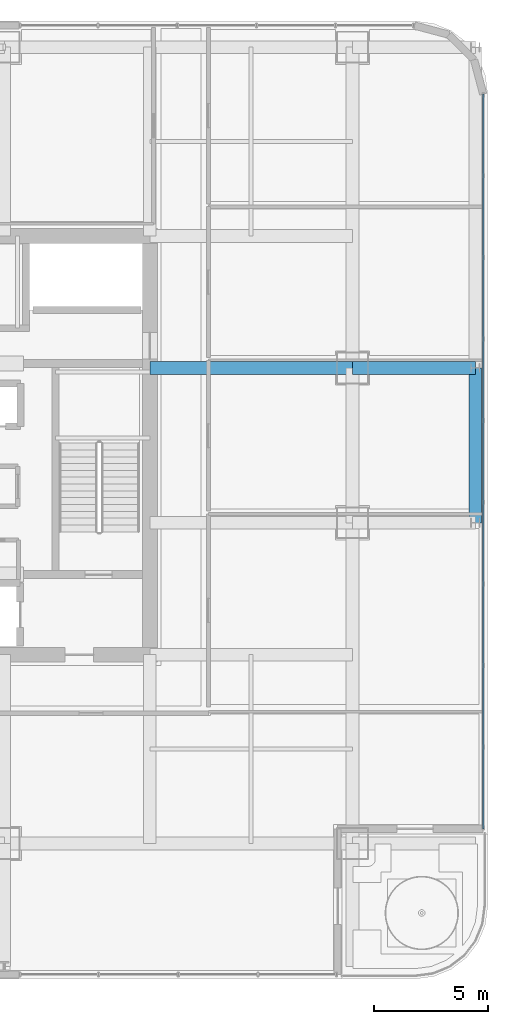
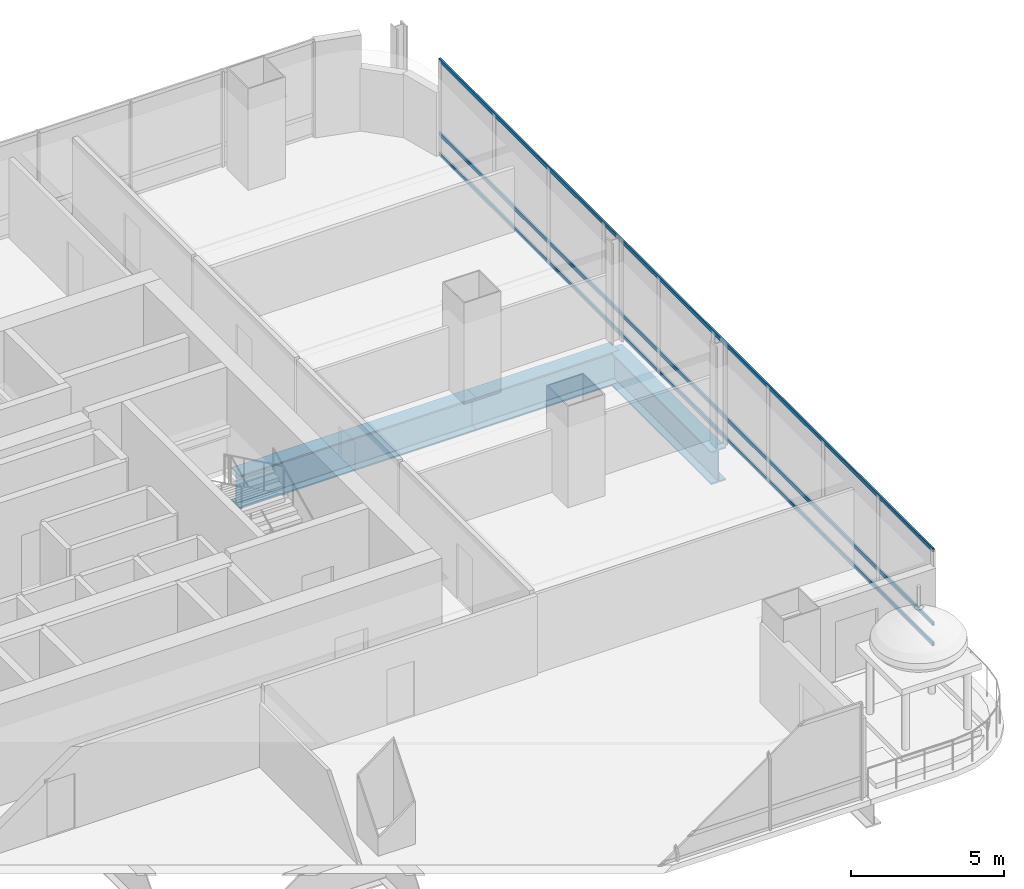
# One storey, part 17 of 41: 3 beams, 3 members, 1 element without a shape of its own.
"""IFC4 building model written with IfcOpenShell, lengths in metres."""

from ifc_helpers import new_model, si_unit, direction, frame, origin, origin_2d, place, context, subcontext, project, spatial, hollow_rectangle, i_section, extrude, material, material_profile, profile_set, type_object, element, aggregate, save


model = new_model("IFC4")

# Units and contexts
model_context = context("Model", 3, precision=1e-05, world=origin(), true_north=direction((0.0, 1.0)))
body_context = subcontext(model_context, "Body", "Model", "MODEL_VIEW")
ifc_project = project(units=[si_unit("LENGTHUNIT", "METRE"), si_unit("AREAUNIT", "SQUARE_METRE"), si_unit("VOLUMEUNIT", "CUBIC_METRE"), si_unit("PLANEANGLEUNIT", "RADIAN"), si_unit("MASSUNIT", "GRAM", prefix="KILO")], contexts=[model_context])

# Site, building, storey
site_placement = place(None, origin())
site = spatial("IfcSite", under=ifc_project, at=site_placement, CompositionType="ELEMENT")
building_placement = place(site_placement, origin())
building = spatial("IfcBuilding", under=site, at=building_placement, Name="Punatoya Terracotta Tower", CompositionType="ELEMENT")
storey_placement = place(building_placement, frame((0.0, 0.0, 220.800048828125)))
storey = spatial("IfcBuildingStorey", under=building, at=storey_placement, Name="L52", CompositionType="ELEMENT", Elevation=220.800048828125)

# Beams
ifc_material_1 = material(Name="Steel S460", Category="steel")
ifc_material_profile_1 = material_profile(ifc_material_1, i_section(OverallWidth=0.56005859375, OverallDepth=1.320068359375, WebThickness=0.035888671875, FlangeThickness=0.054931640625, FilletRadius=0.01806640625, at=origin_2d()))
ifc_profile_set_1 = profile_set([ifc_material_profile_1], Name="Steel S460")
beam_type = type_object("IfcBeamType", Name="BM-TG-BLK", PredefinedType="BEAM", material=ifc_profile_set_1)
beam_1_placement = place(storey_placement, frame((10.199951171875, 3.39990234375, -0.880126953125), z_axis=(1.0, 0.0, 0.0), x_axis=(0.0, 1.0, 0.0)))
element("IfcBeam", 1, at=beam_1_placement, inside=storey, type_object=beam_type, Name="BM-L52-PR-EE", PredefinedType="BEAM", context=body_context, shape_type="SweptSolid", body=[
    extrude(i_section(OverallWidth=0.56005859375, OverallDepth=1.320068359375, WebThickness=0.035888671875, FlangeThickness=0.054931640625, FilletRadius=0.01806640625, at=origin_2d()), origin(), (0.0, 0.0, 1.0), 8.900146484375),
])
beam_2_placement = place(storey_placement, frame((19.10009765625, 3.39990234375, -0.880126953125), z_axis=(1.0, 0.0, 0.0), x_axis=(0.0, 1.0, 0.0)))
element("IfcBeam", 2, at=beam_2_placement, inside=storey, type_object=beam_type, Name="BM-L52-CANT-E3", PredefinedType="BEAM", context=body_context, shape_type="SweptSolid", body=[
    extrude(i_section(OverallWidth=0.56005859375, OverallDepth=1.320068359375, WebThickness=0.035888671875, FlangeThickness=0.054931640625, FilletRadius=0.01806640625, at=origin_2d()), origin(), (0.0, 0.0, 1.0), 5.39990234375),
])
beam_3_placement = place(storey_placement, frame((24.5, -3.39990234375, -0.880126953125), z_axis=(0.0, 1.0, 0.0), x_axis=(-1.0, 0.0, 0.0)))
element("IfcBeam", 3, at=beam_3_placement, inside=storey, type_object=beam_type, Name="BM-L52-PER-E1", PredefinedType="BEAM", context=body_context, shape_type="SweptSolid", body=[
    extrude(i_section(OverallWidth=0.56005859375, OverallDepth=1.320068359375, WebThickness=0.035888671875, FlangeThickness=0.054931640625, FilletRadius=0.01806640625, at=origin_2d()), origin(), (0.0, 0.0, 1.0), 6.7998046875),
])

# Curtain wall, members
ifc_material_2 = material(Name="Aluminium 6063-T6 + Double Low-E Glass", Category="aluminium")
curtain_wall_type = type_object("IfcCurtainWallType", Name="CW-M2", PredefinedType="NOTDEFINED", material=ifc_material_2)
curtain_wall_placement = place(storey_placement, origin())
curtain_wall = element("IfcCurtainWall", 4, at=curtain_wall_placement, inside=storey, type_object=curtain_wall_type, Name="L52 Curtain Wall CW-L52-E04-1", PredefinedType="NOTDEFINED")
ifc_material_3 = material(Name="Aluminium 6063-T6", Category="aluminium")
ifc_material_profile_2 = material_profile(ifc_material_3, hollow_rectangle(XDim=0.068115234375, YDim=0.14990234375, WallThickness=0.00390625, at=origin_2d()))
ifc_profile_set_2 = profile_set([ifc_material_profile_2], Name="Aluminium 6063-T6")
member_type = type_object("IfcMemberType", Name="CW-TRN-TYP", PredefinedType="USERDEFINED", material=ifc_profile_set_2)
member_1_placement = place(storey_placement, frame((24.85009765625, -16.85009765625, 0.0400390625), z_axis=(0.0, 1.0, 0.0), x_axis=(-1.0, 0.0, 0.0)))
member_1 = element("IfcMember", 5, at=member_1_placement, type_object=member_type, Name="CW-L52-E04-1 Transom 1", ObjectType="TRANSOM", PredefinedType="USERDEFINED", context=body_context, shape_type="SweptSolid", body=[
    extrude(hollow_rectangle(XDim=0.068115234375, YDim=0.14990234375, WallThickness=0.00390625, at=origin_2d()), origin(), (0.0, 0.0, 1.0), 32.287109375),
])
member_2_placement = place(storey_placement, frame((24.85009765625, -16.85009765625, 0.849853515625), z_axis=(0.0, 1.0, 0.0), x_axis=(-1.0, 0.0, 0.0)))
member_2 = element("IfcMember", 6, at=member_2_placement, type_object=member_type, Name="CW-L52-E04-1 Transom 2", ObjectType="TRANSOM", PredefinedType="USERDEFINED", context=body_context, shape_type="SweptSolid", body=[
    extrude(hollow_rectangle(XDim=0.068115234375, YDim=0.14990234375, WallThickness=0.00390625, at=origin_2d()), origin(), (0.0, 0.0, 1.0), 32.287109375),
])
member_3_placement = place(storey_placement, frame((24.85009765625, -16.85009765625, 3.7900390625), z_axis=(0.0, 1.0, 0.0), x_axis=(-1.0, 0.0, 0.0)))
member_3 = element("IfcMember", 7, at=member_3_placement, type_object=member_type, Name="CW-L52-E04-1 Transom 3", ObjectType="TRANSOM", PredefinedType="USERDEFINED", context=body_context, shape_type="SweptSolid", body=[
    extrude(hollow_rectangle(XDim=0.068115234375, YDim=0.14990234375, WallThickness=0.00390625, at=origin_2d()), origin(), (0.0, 0.0, 1.0), 32.287109375),
])
aggregate(curtain_wall, [member_1, member_2, member_3])

save(model, "model.ifc")
